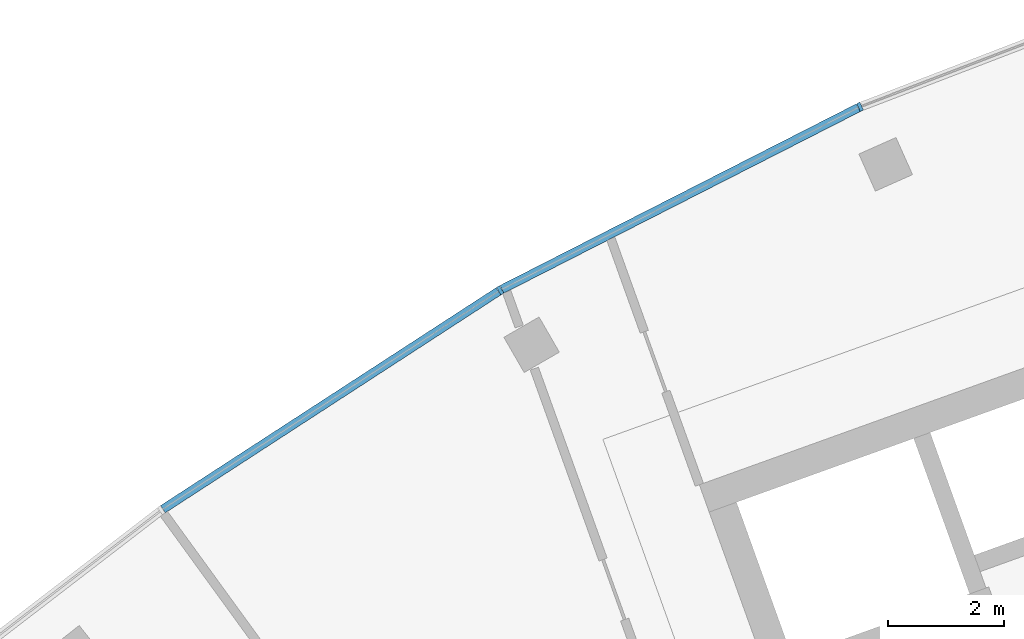
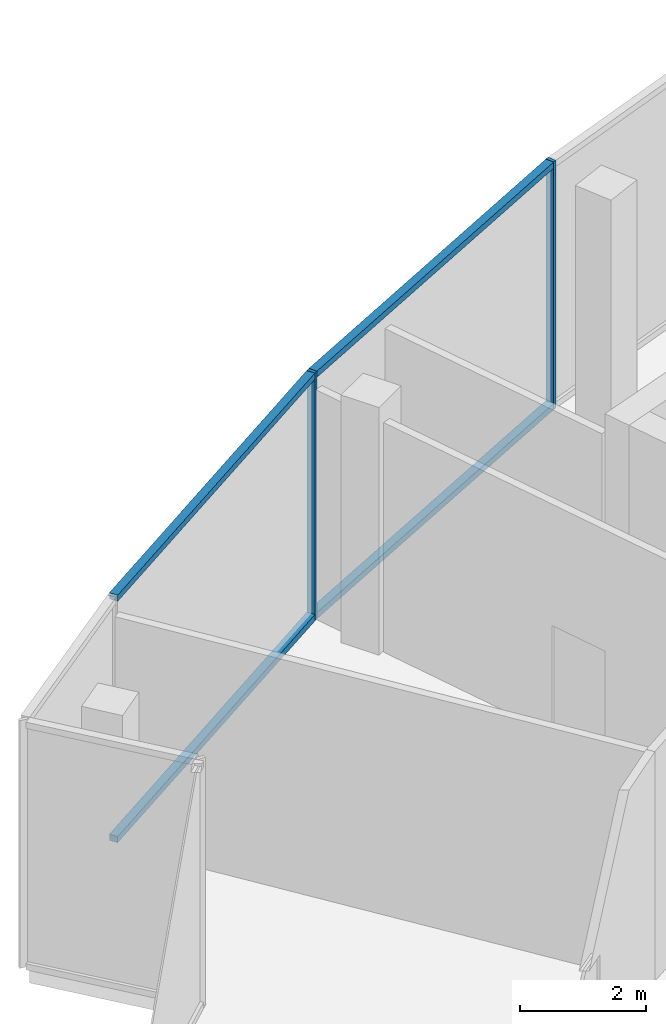
# One storey, part 4 of 17: 6 members, 1 element without a shape of its own.
"""IFC4 building model written with IfcOpenShell, lengths in metres."""

from ifc_helpers import new_model, si_unit, direction, frame, origin, origin_2d, place, context, subcontext, project, spatial, rectangle, extrude, material, layer, layer_set, material_profile, profile_set, type_object, element, aggregate, save


model = new_model("IFC4")

# Units and contexts
model_context = context("Model", 3, precision=1e-05, world=origin(), true_north=direction((0.0, 1.0)))
body_context = subcontext(model_context, "Body", "Model", "MODEL_VIEW")
ifc_project = project(units=[si_unit("LENGTHUNIT", "METRE"), si_unit("AREAUNIT", "SQUARE_METRE"), si_unit("VOLUMEUNIT", "CUBIC_METRE"), si_unit("PLANEANGLEUNIT", "RADIAN"), si_unit("MASSUNIT", "GRAM", prefix="KILO")], contexts=[model_context])

# Site, building, storey
site_placement = place(None, origin())
site = spatial("IfcSite", under=ifc_project, at=site_placement, CompositionType="ELEMENT")
building_placement = place(site_placement, origin())
building = spatial("IfcBuilding", under=site, at=building_placement, Name="Stone Belt Terrace Tower", CompositionType="ELEMENT")
storey_placement = place(building_placement, frame((0.0, 0.0, 313.39990234375)))
storey = spatial("IfcBuildingStorey", under=building, at=storey_placement, Name="L76", CompositionType="ELEMENT", Elevation=313.39990234375)

# Curtain wall, members
ifc_material = material(Name="Aluminium 6063-T6 anodised frame", Category="aluminium")
ifc_layer = layer(ifc_material, 0.14990234375)
ifc_layer_set = layer_set([ifc_layer], Name="CW-C stick curtain wall, horn ends and notches")
curtain_wall_type = type_object("IfcCurtainWallType", Name="CW-C stick curtain wall, horn ends and notches", PredefinedType="NOTDEFINED", material=ifc_layer_set)
curtain_wall_placement = place(storey_placement, origin())
curtain_wall = element("IfcCurtainWall", 1, at=curtain_wall_placement, inside=storey, type_object=curtain_wall_type, Name="CW-C convex face L76", PredefinedType="NOTDEFINED")
ifc_material_profile_1 = material_profile(ifc_material, rectangle(XDim=0.14990234375, YDim=0.06005859375, at=origin_2d()), Name="Aluminium 6063-T6 60x150")
ifc_profile_set_1 = profile_set([ifc_material_profile_1], Name="Aluminium 6063-T6 anodised frame")
member_type_1 = type_object("IfcMemberType", Name="CW-C mullion 60 x 150", PredefinedType="MULLION", material=ifc_profile_set_1)
member_1_placement = place(storey_placement, frame((-27.07861328125, 60.8193359375, 0.0), z_axis=(0.0, 0.0, 1.0), x_axis=(0.406736643076, -0.913545457643, 0.0)))
member_1 = element("IfcMember", 2, at=member_1_placement, type_object=member_type_1, Name="CW-C mullion 12", PredefinedType="MULLION", context=body_context, shape_type="SweptSolid", body=[
    extrude(rectangle(XDim=0.14990234375, YDim=0.06005859375, at=origin_2d()), origin(), (0.0, 0.0, 1.0), 4.800048828125),
])
member_2_placement = place(storey_placement, frame((-33.28759765625, 57.65576171875, 0.0), z_axis=(0.0, 0.0, 1.0), x_axis=(0.5, -0.866025403784, 0.0)))
member_2 = element("IfcMember", 3, at=member_2_placement, type_object=member_type_1, Name="CW-C mullion 13", PredefinedType="MULLION", context=body_context, shape_type="SweptSolid", body=[
    extrude(rectangle(XDim=0.14990234375, YDim=0.06005859375, at=origin_2d()), origin(), (0.0, 0.0, 1.0), 4.800048828125),
])
ifc_material_profile_2 = material_profile(ifc_material, rectangle(XDim=0.14990234375, YDim=0.1201171875, at=origin_2d()), Name="Aluminium 6063-T6 150x120")
ifc_profile_set_2 = profile_set([ifc_material_profile_2], Name="Aluminium 6063-T6 anodised frame")
member_type_2 = type_object("IfcMemberType", Name="CW-C transom 120 x 150", PredefinedType="USERDEFINED", material=ifc_profile_set_2)
member_3_placement = place(storey_placement, frame((-27.108642578125, 60.803955078125, 0.06005859375), z_axis=(-0.891012226264, -0.453979308613, 0.0), x_axis=(0.453979308613, -0.891012226264, 0.0)))
member_3 = element("IfcMember", 4, at=member_3_placement, type_object=member_type_2, Name="CW-C transom 12.1", ObjectType="TRANSOM", PredefinedType="USERDEFINED", context=body_context, shape_type="SweptSolid", body=[
    extrude(rectangle(XDim=0.14990234375, YDim=0.1201171875, at=origin_2d()), origin(), (0.0, 0.0, 1.0), 6.90087890625),
])
member_4_placement = place(storey_placement, frame((-27.108642578125, 60.803955078125, 4.739990234375), z_axis=(-0.891012226264, -0.453979308613, 0.0), x_axis=(0.453979308613, -0.891012226264, 0.0)))
member_4 = element("IfcMember", 5, at=member_4_placement, type_object=member_type_2, Name="CW-C transom 12.2", ObjectType="TRANSOM", PredefinedType="USERDEFINED", context=body_context, shape_type="SweptSolid", body=[
    extrude(rectangle(XDim=0.14990234375, YDim=0.1201171875, at=origin_2d()), origin(), (0.0, 0.0, 1.0), 6.90087890625),
])
member_5_placement = place(storey_placement, frame((-33.31591796875, 57.63720703125, 0.06005859375), z_axis=(-0.83868440714, -0.544617723931, 0.0), x_axis=(0.544617723931, -0.83868440714, 0.0)))
member_5 = element("IfcMember", 6, at=member_5_placement, type_object=member_type_2, Name="CW-C transom 13.1", ObjectType="TRANSOM", PredefinedType="USERDEFINED", context=body_context, shape_type="SweptSolid", body=[
    extrude(rectangle(XDim=0.14990234375, YDim=0.1201171875, at=origin_2d()), origin(), (0.0, 0.0, 1.0), 6.90087890625),
])
member_6_placement = place(storey_placement, frame((-33.31591796875, 57.63720703125, 4.739990234375), z_axis=(-0.83868440714, -0.544617723931, 0.0), x_axis=(0.544617723931, -0.83868440714, 0.0)))
member_6 = element("IfcMember", 7, at=member_6_placement, type_object=member_type_2, Name="CW-C transom 13.2", ObjectType="TRANSOM", PredefinedType="USERDEFINED", context=body_context, shape_type="SweptSolid", body=[
    extrude(rectangle(XDim=0.14990234375, YDim=0.1201171875, at=origin_2d()), origin(), (0.0, 0.0, 1.0), 6.90087890625),
])
aggregate(curtain_wall, [member_1, member_2, member_3, member_4, member_5, member_6])

save(model, "model.ifc")
